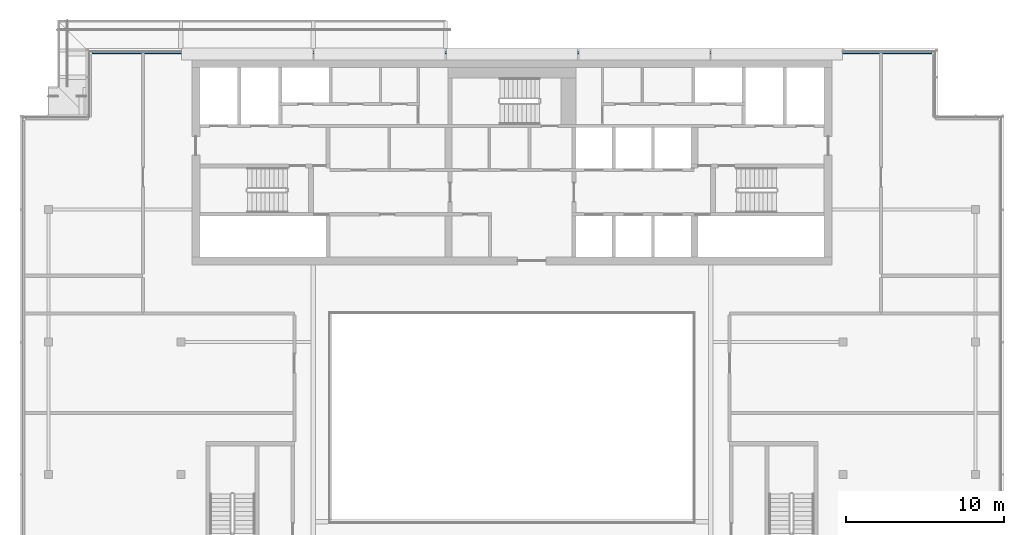
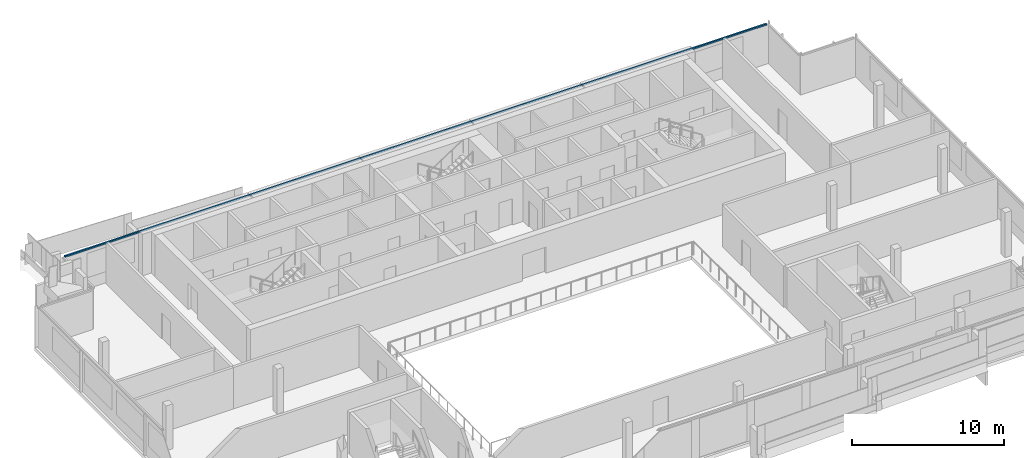
# One storey, part 8 of 21: 1 member, 1 element without a shape of its own.
"""IFC4 building model written with IfcOpenShell, lengths in metres."""

from ifc_helpers import new_model, si_unit, direction, frame, origin, origin_2d, place, context, subcontext, project, spatial, rectangle, extrude, material, material_profile, profile_set, type_object, element, aggregate, save


model = new_model("IFC4")

# Units and contexts
model_context = context("Model", 3, precision=1e-05, world=origin(), true_north=direction((0.0, 1.0)))
body_context = subcontext(model_context, "Body", "Model", "MODEL_VIEW")
ifc_project = project(units=[si_unit("LENGTHUNIT", "METRE"), si_unit("AREAUNIT", "SQUARE_METRE"), si_unit("VOLUMEUNIT", "CUBIC_METRE"), si_unit("PLANEANGLEUNIT", "RADIAN"), si_unit("MASSUNIT", "GRAM", prefix="KILO")], contexts=[model_context])

# Site, building, storey
site_placement = place(None, origin())
site = spatial("IfcSite", under=ifc_project, at=site_placement, CompositionType="ELEMENT")
building_placement = place(site_placement, origin())
building = spatial("IfcBuilding", under=site, at=building_placement, Name="Saffron Gate Tower", CompositionType="ELEMENT")
storey_placement = place(building_placement, frame((0.0, 0.0, 299.550048828125)))
storey = spatial("IfcBuildingStorey", under=building, at=storey_placement, Name="L73", CompositionType="ELEMENT", Elevation=299.550048828125)

# Curtain wall, member
ifc_material = material(Name="Aluminium, bronze anodised", Category="aluminium")
curtain_wall_type = type_object("IfcCurtainWallType", Name="CWS3 curtain wall rear facade", PredefinedType="NOTDEFINED", material=ifc_material)
curtain_wall_placement = place(storey_placement, origin())
curtain_wall = element("IfcCurtainWall", 1, at=curtain_wall_placement, inside=storey, type_object=curtain_wall_type, Name="CWS3 run 7", PredefinedType="NOTDEFINED")
ifc_material_profile = material_profile(ifc_material, rectangle(XDim=0.1201171875, YDim=0.1201171875, at=origin_2d()))
ifc_profile_set = profile_set([ifc_material_profile], Name="Aluminium, bronze anodised")
member_type = type_object("IfcMemberType", Name="CWS3 head transom", PredefinedType="USERDEFINED", material=ifc_profile_set)
member_placement = place(storey_placement, frame((114.23193359375, 75.35205078125, 3.260009765625), z_axis=(-1.0, 0.0, 0.0), x_axis=(0.0, -1.0, 0.0)))
member = element("IfcMember", 2, at=member_placement, type_object=member_type, Name="CWS3 head transom", ObjectType="TRANSOM", PredefinedType="USERDEFINED", context=body_context, shape_type="SweptSolid", body=[
    extrude(rectangle(XDim=0.1201171875, YDim=0.1201171875, at=origin_2d()), origin(), (0.0, 0.0, 1.0), 53.263916015625),
])
aggregate(curtain_wall, [member])

save(model, "model.ifc")
